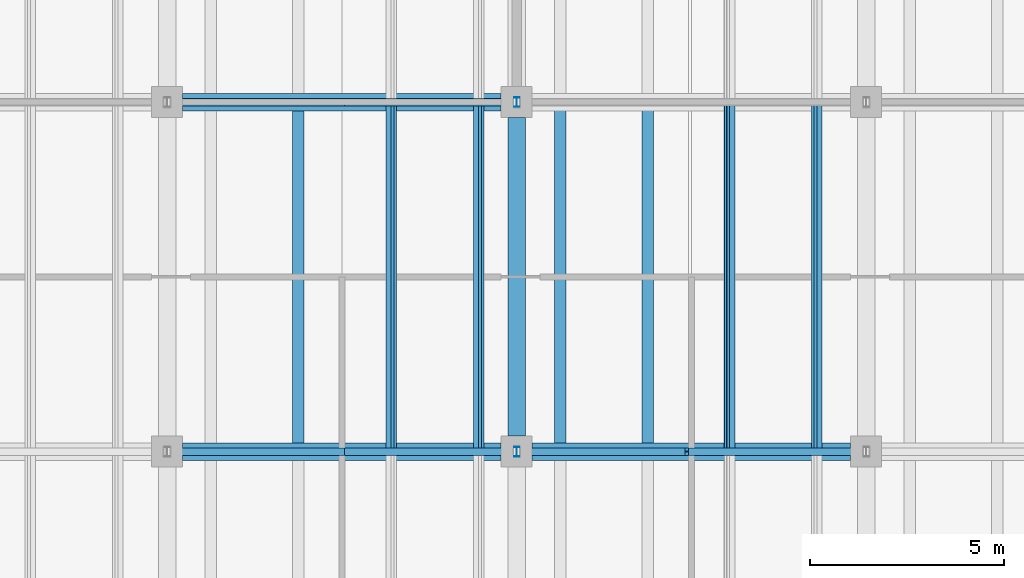
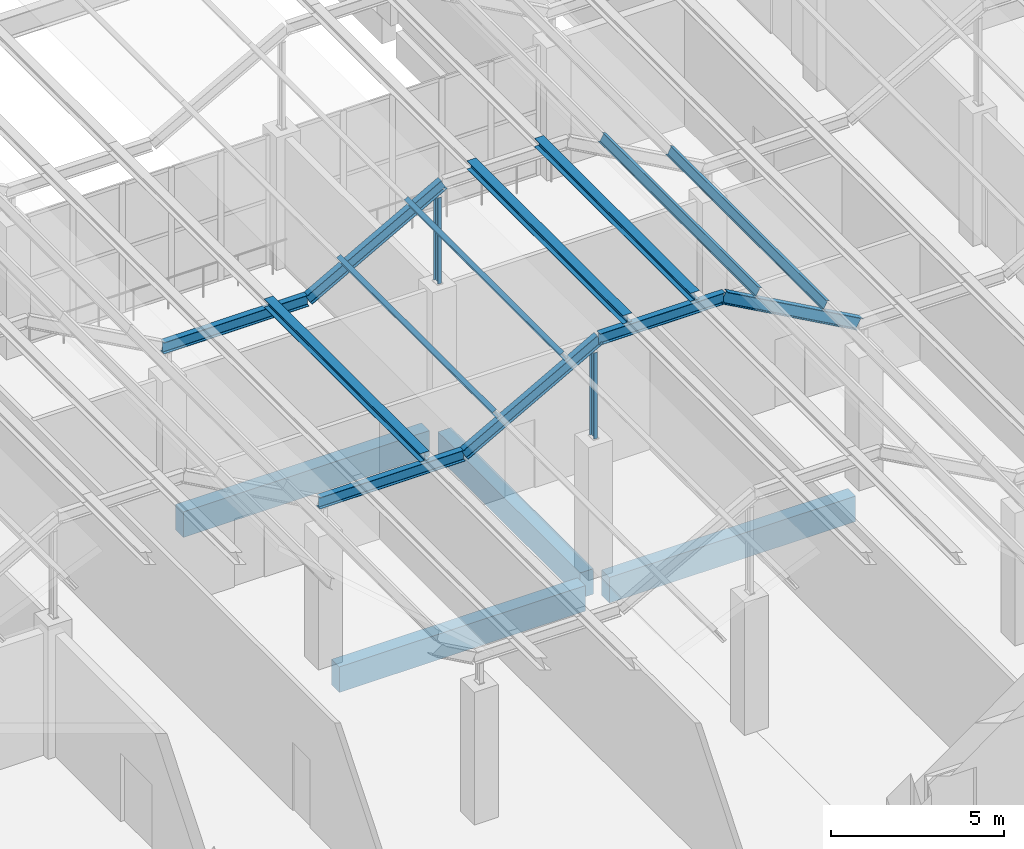
# One storey, part 24 of 437: 15 members, 4 beams.
"""IFC4 building model written with IfcOpenShell, lengths in metres."""

from ifc_helpers import new_model, si_unit, direction, frame, origin, origin_2d, place, context, subcontext, project, spatial, rectangle, i_section, extrude, material, material_profile, profile_set, type_object, element, save


model = new_model("IFC4")

# Units and contexts
model_context = context("Model", 3, precision=1e-05, world=origin(), true_north=direction((0.0, 1.0)))
body_context = subcontext(model_context, "Body", "Model", "MODEL_VIEW")
ifc_project = project(units=[si_unit("LENGTHUNIT", "METRE"), si_unit("AREAUNIT", "SQUARE_METRE"), si_unit("VOLUMEUNIT", "CUBIC_METRE"), si_unit("PLANEANGLEUNIT", "RADIAN"), si_unit("MASSUNIT", "GRAM", prefix="KILO")], contexts=[model_context])

# Site, building, storey
site_placement = place(None, origin())
site = spatial("IfcSite", under=ifc_project, at=site_placement, CompositionType="ELEMENT")
building_placement = place(site_placement, origin())
building = spatial("IfcBuilding", under=site, at=building_placement, Name="Opaline Strait Convention Centre", CompositionType="ELEMENT")
storey_placement = place(building_placement, frame((0.0, 0.0, 11.5)))
storey = spatial("IfcBuildingStorey", under=building, at=storey_placement, Name="L02", CompositionType="ELEMENT", Elevation=11.5)

# Members
ifc_material_1 = material(Name="Steel Q355B", Category="steel")
ifc_material_profile_1 = material_profile(ifc_material_1, i_section(OverallWidth=0.300048828125, OverallDepth=0.300048828125, WebThickness=0.010009765625, FlangeThickness=0.014892578125, FilletRadius=0.012939453125, at=origin_2d()), Name="HW 300x300x10x15")
ifc_profile_set_1 = profile_set([ifc_material_profile_1], Name="Steel Q355B")
member_type_1 = type_object("IfcMemberType", Name="Crest purlin HW 300x300x10x15", PredefinedType="PURLIN", material=ifc_profile_set_1)
for number, where, z_axis, x_axis, name in (
    (1, (39.375, 27.0, 5.949951171875), (0.0, 1.0, 0.0), (-1.0, 0.0, 0.0), "RU1 purlin facet 7 line 2"),
    (2, (46.125, 27.0, 8.449951171875), (0.0, 1.0, 0.0), (-1.0, 0.0, 0.0), "RU1 purlin facet 9 line 1"),
    (3, (48.375, 27.0, 8.449951171875), (0.0, 1.0, 0.0), (-1.0, 0.0, 0.0), "RU1 purlin facet 9 line 2"),
):
    element("IfcMember", number, at=place(storey_placement, frame(where, z_axis=z_axis, x_axis=x_axis)), inside=storey, type_object=member_type_1, Name=name, PredefinedType="PURLIN", context=body_context, shape_type="SweptSolid", body=[
        extrude(i_section(OverallWidth=0.300048828125, OverallDepth=0.300048828125, WebThickness=0.010009765625, FlangeThickness=0.014892578125, FilletRadius=0.012939453125, at=origin_2d()), origin(), (0.0, 0.0, 1.0), 9.0),
    ])

# Beams
ifc_material_2 = material(Name="Concrete C35", Category="concrete")
ifc_material_profile_2 = material_profile(ifc_material_2, rectangle(XDim=0.449951171875, YDim=0.89990234375, at=origin_2d()), Name="RC 450x900")
ifc_profile_set_2 = profile_set([ifc_material_profile_2], Name="Concrete C35")
beam_type = type_object("IfcBeamType", Name="RC beam 450x900 C35", PredefinedType="BEAM", material=ifc_profile_set_2)
for number, where, z_axis, x_axis, name in (
    (4, (36.39990234375, 27.0, -0.72998046875), (1.0, 0.0, 0.0), (0.0, 1.0, 0.0), "XB1 L02 36/27-45/27"),
    (5, (45.39990234375, 27.0, -0.72998046875), (1.0, 0.0, 0.0), (0.0, 1.0, 0.0), "XB1 L02 45/27-54/27"),
    (6, (36.39990234375, 36.0, -0.72998046875), (1.0, 0.0, 0.0), (0.0, 1.0, 0.0), "XB1 L02 36/36-45/36"),
    (7, (45.0, 27.39990234375, -0.72998046875), (0.0, 1.0, 0.0), (-1.0, 0.0, 0.0), "XB1 L02 45/27-45/36"),
):
    element("IfcBeam", number, at=place(storey_placement, frame(where, z_axis=z_axis, x_axis=x_axis)), inside=storey, type_object=beam_type, Name=name, PredefinedType="BEAM", context=body_context, shape_type="SweptSolid", body=[
        extrude(rectangle(XDim=0.449951171875, YDim=0.89990234375, at=origin_2d()), origin(), (0.0, 0.0, 1.0), 8.2001953125),
    ])

# Members
ifc_material_profile_3 = material_profile(ifc_material_1, i_section(OverallWidth=0.125, OverallDepth=0.25, WebThickness=0.006103515625, FlangeThickness=0.009033203125, FilletRadius=0.008056640625, at=origin_2d()), Name="HN 250x125x6x9")
ifc_profile_set_3 = profile_set([ifc_material_profile_3], Name="Steel Q355B")
member_type_2 = type_object("IfcMemberType", Name="Roof post HN 250x125x6x9", PredefinedType="STRUT", material=ifc_profile_set_3)
for number, where, z_axis, x_axis, name in (
    (8, (45.0, 27.0, 4.68994140625), (0.0, 0.0, 1.0), (1.0, 0.0, 0.0), "RP1 roof post at 45/27"),
    (9, (45.0, 36.0, 4.68994140625), (0.0, 0.0, 1.0), (1.0, 0.0, 0.0), "RP1 roof post at 45/36"),
):
    element("IfcMember", number, at=place(storey_placement, frame(where, z_axis=z_axis, x_axis=x_axis)), inside=storey, type_object=member_type_2, Name=name, PredefinedType="STRUT", context=body_context, shape_type="SweptSolid", body=[
        extrude(i_section(OverallWidth=0.125, OverallDepth=0.25, WebThickness=0.006103515625, FlangeThickness=0.009033203125, FilletRadius=0.008056640625, at=origin_2d()), origin(), (0.0, 0.0, 1.0), 3.031005859375),
    ])
ifc_material_profile_4 = material_profile(ifc_material_1, i_section(OverallWidth=0.14990234375, OverallDepth=0.300048828125, WebThickness=0.006591796875, FlangeThickness=0.009033203125, FilletRadius=0.012939453125, at=origin_2d()), Name="HN 300x150x6.5x9")
ifc_profile_set_4 = profile_set([ifc_material_profile_4], Name="Steel Q355B")
member_type_3 = type_object("IfcMemberType", Name="Roof purlin HN 300x150x6.5x9", PredefinedType="PURLIN", material=ifc_profile_set_4)
for number, where, z_axis, x_axis, name in (
    (10, (41.770751953125, 27.0, 6.61279296875), (0.0, 1.0, 0.0), (-0.874157310866, 0.0, -0.485642868639), "RU1 purlin facet 8 line 1"),
    (11, (44.020751953125, 27.0, 7.86279296875), (0.0, 1.0, 0.0), (-0.874157310866, 0.0, -0.485642868639), "RU1 purlin facet 8 line 2"),
    (12, (50.479248046875, 27.0, 7.86279296875), (0.0, 1.0, 0.0), (-0.874157310866, 0.0, 0.485642868639), "RU1 purlin facet 10 line 1"),
    (13, (52.729248046875, 27.0, 6.61279296875), (0.0, 1.0, 0.0), (-0.874157310866, 0.0, 0.485642868639), "RU1 purlin facet 10 line 2"),
):
    element("IfcMember", number, at=place(storey_placement, frame(where, z_axis=z_axis, x_axis=x_axis)), inside=storey, type_object=member_type_3, Name=name, PredefinedType="PURLIN", context=body_context, shape_type="SweptSolid", body=[
        extrude(i_section(OverallWidth=0.14990234375, OverallDepth=0.300048828125, WebThickness=0.006591796875, FlangeThickness=0.009033203125, FilletRadius=0.012939453125, at=origin_2d()), origin(), (0.0, 0.0, 1.0), 9.0),
    ])
ifc_material_profile_5 = material_profile(ifc_material_1, i_section(OverallWidth=0.199951171875, OverallDepth=0.39990234375, WebThickness=0.008056640625, FlangeThickness=0.012939453125, FilletRadius=0.012939453125, at=origin_2d()), Name="HN 400x200x8x13")
ifc_profile_set_5 = profile_set([ifc_material_profile_5], Name="Steel Q355B")
member_type_4 = type_object("IfcMemberType", Name="Roof rafter HN 400x200x8x13", PredefinedType="RAFTER", material=ifc_profile_set_5)
member_1_placement = place(storey_placement, frame((35.83154296875, 27.0, 5.60009765625), z_axis=(1.0, 0.0, 0.0), x_axis=(0.0, 1.0, 0.0)))
element("IfcMember", 14, at=member_1_placement, inside=storey, type_object=member_type_4, Name="RR1 rafter line 3 facet 8", PredefinedType="RAFTER", context=body_context, shape_type="SweptSolid", body=[
    extrude(i_section(OverallWidth=0.199951171875, OverallDepth=0.39990234375, WebThickness=0.008056640625, FlangeThickness=0.012939453125, FilletRadius=0.012939453125, at=origin_2d()), origin(), (0.0, 0.0, 1.0), 4.8369140625),
])
member_2_placement = place(storey_placement, frame((40.66845703125, 27.0, 5.60009765625), z_axis=(0.874157276122, 0.0, 0.485642931179), x_axis=(0.0, 1.0, 0.0)))
element("IfcMember", 15, at=member_2_placement, inside=storey, type_object=member_type_4, Name="RR1 rafter line 3 facet 9", PredefinedType="RAFTER", context=body_context, shape_type="SweptSolid", body=[
    extrude(i_section(OverallWidth=0.199951171875, OverallDepth=0.39990234375, WebThickness=0.008056640625, FlangeThickness=0.012939453125, FilletRadius=0.012939453125, at=origin_2d()), origin(), (0.0, 0.0, 1.0), 5.147705078125),
])
member_3_placement = place(storey_placement, frame((45.16845703125, 27.0, 8.10009765625), z_axis=(1.0, 0.0, 0.0), x_axis=(0.0, 1.0, 0.0)))
element("IfcMember", 16, at=member_3_placement, inside=storey, type_object=member_type_4, Name="RR1 rafter line 3 facet 10", PredefinedType="RAFTER", context=body_context, shape_type="SweptSolid", body=[
    extrude(i_section(OverallWidth=0.199951171875, OverallDepth=0.39990234375, WebThickness=0.008056640625, FlangeThickness=0.012939453125, FilletRadius=0.012939453125, at=origin_2d()), origin(), (0.0, 0.0, 1.0), 4.1630859375),
])
member_4_placement = place(storey_placement, frame((49.33154296875, 27.0, 8.10009765625), z_axis=(0.874157276122, 0.0, -0.485642931179), x_axis=(0.0, 1.0, 0.0)))
element("IfcMember", 17, at=member_4_placement, inside=storey, type_object=member_type_4, Name="RR1 rafter line 3 facet 11", PredefinedType="RAFTER", context=body_context, shape_type="SweptSolid", body=[
    extrude(i_section(OverallWidth=0.199951171875, OverallDepth=0.39990234375, WebThickness=0.008056640625, FlangeThickness=0.012939453125, FilletRadius=0.012939453125, at=origin_2d()), origin(), (0.0, 0.0, 1.0), 5.147705078125),
])
member_5_placement = place(storey_placement, frame((35.83154296875, 36.0, 5.60009765625), z_axis=(1.0, 0.0, 0.0), x_axis=(0.0, 1.0, 0.0)))
element("IfcMember", 18, at=member_5_placement, inside=storey, type_object=member_type_4, Name="RR1 rafter line 4 facet 8", PredefinedType="RAFTER", context=body_context, shape_type="SweptSolid", body=[
    extrude(i_section(OverallWidth=0.199951171875, OverallDepth=0.39990234375, WebThickness=0.008056640625, FlangeThickness=0.012939453125, FilletRadius=0.012939453125, at=origin_2d()), origin(), (0.0, 0.0, 1.0), 4.8369140625),
])
member_6_placement = place(storey_placement, frame((40.66845703125, 36.0, 5.60009765625), z_axis=(0.874157276122, 0.0, 0.485642931179), x_axis=(0.0, 1.0, 0.0)))
element("IfcMember", 19, at=member_6_placement, inside=storey, type_object=member_type_4, Name="RR1 rafter line 4 facet 9", PredefinedType="RAFTER", context=body_context, shape_type="SweptSolid", body=[
    extrude(i_section(OverallWidth=0.199951171875, OverallDepth=0.39990234375, WebThickness=0.008056640625, FlangeThickness=0.012939453125, FilletRadius=0.012939453125, at=origin_2d()), origin(), (0.0, 0.0, 1.0), 5.147705078125),
])

save(model, "model.ifc")
